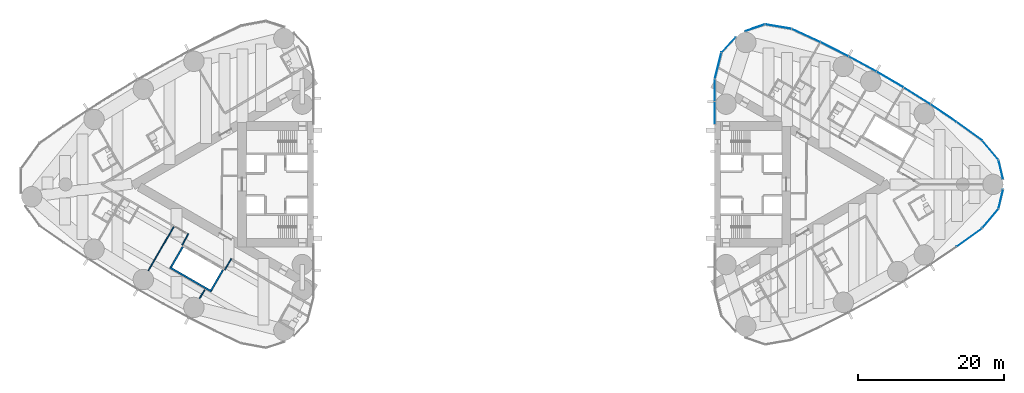
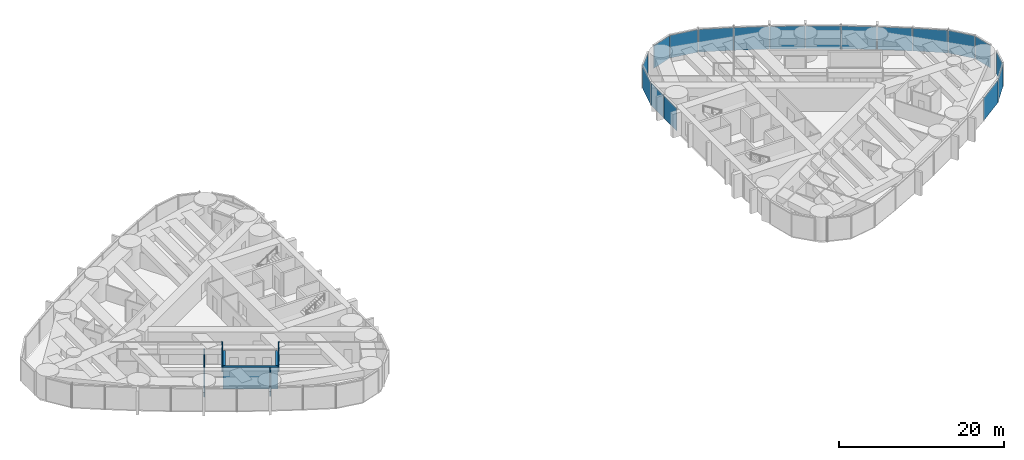
# One storey, part 11 of 18: 18 plates, 7 walls, 3 elements without a shape of their own.
"""IFC4 building model written with IfcOpenShell, lengths in metres."""

from ifc_helpers import new_model, si_unit, direction, frame, frame_2d, origin, origin_2d, place, context, subcontext, project, spatial, rectangle, extrude, material, layer, layer_set, type_object, element, aggregate, save


model = new_model("IFC4")

# Units and contexts
model_context = context("Model", 3, precision=1e-05, world=origin(), true_north=direction((0.0, 1.0)))
body_context = subcontext(model_context, "Body", "Model", "MODEL_VIEW")
ifc_project = project(units=[si_unit("LENGTHUNIT", "METRE"), si_unit("AREAUNIT", "SQUARE_METRE"), si_unit("VOLUMEUNIT", "CUBIC_METRE"), si_unit("PLANEANGLEUNIT", "RADIAN"), si_unit("MASSUNIT", "GRAM", prefix="KILO")], contexts=[model_context])

# Site, building, storey
site_placement = place(None, origin())
site = spatial("IfcSite", under=ifc_project, at=site_placement, CompositionType="ELEMENT")
building_placement = place(site_placement, origin())
building = spatial("IfcBuilding", under=site, at=building_placement, Name="Lancet Gate Hotel", CompositionType="ELEMENT")
storey_placement = place(building_placement, frame((0.0, 0.0, 180.800048828125)))
storey = spatial("IfcBuildingStorey", under=building, at=storey_placement, Name="L48", CompositionType="ELEMENT", Elevation=180.800048828125)

# Curtain wall, plates
ifc_material_1 = material(Name="Aluminium curtain wall", Category="aluminium")
curtain_wall_type = type_object("IfcCurtainWallType", Name="Tower unitised curtain wall", PredefinedType="USERDEFINED", material=ifc_material_1)
curtain_wall_1_placement = place(storey_placement, origin())
curtain_wall_1 = element("IfcCurtainWall", 1, at=curtain_wall_1_placement, inside=storey, type_object=curtain_wall_type, Name="T2 L48 curtain wall 2", ObjectType="UNITISED CURTAIN WALL", PredefinedType="USERDEFINED")
ifc_material_2 = material(Name="Glass double glazed unit 8-16-6", Category="glass")
ifc_layer_1 = layer(ifc_material_2, 0.030029296875)
ifc_layer_set_1 = layer_set([ifc_layer_1], Name="Vision panel double glazed")
plate_type = type_object("IfcPlateType", Name="Vision panel double glazed", PredefinedType="CURTAIN_PANEL", material=ifc_layer_set_1)
plate_1_placement = place(storey_placement, frame((62.417236328125, -7.279541015625, 0.0), z_axis=(0.0, 0.0, 1.0), x_axis=(0.810891442127, 0.585196607206, 0.0)))
plate_1 = element("IfcPlate", 2, at=plate_1_placement, type_object=plate_type, Name="T2 L48 curtain wall 2 panel 9", PredefinedType="CURTAIN_PANEL", context=body_context, shape_type="SweptSolid", body=[
    extrude(rectangle(XDim=4.26904296875, YDim=0.030029296875, at=origin_2d()), origin(), (0.0, 0.0, 1.0), 3.35009765625),
])
plate_2_placement = place(storey_placement, frame((65.283935546875, -4.68701171875, 0.0), z_axis=(0.0, 0.0, 1.0), x_axis=(0.642198636854, 0.766538264422, 0.0)))
plate_2 = element("IfcPlate", 3, at=plate_2_placement, type_object=plate_type, Name="T2 L48 curtain wall 2 panel 10", PredefinedType="CURTAIN_PANEL", context=body_context, shape_type="SweptSolid", body=[
    extrude(rectangle(XDim=3.390380859375, YDim=0.030029296875, at=origin_2d()), origin(), (0.0, 0.0, 1.0), 3.35009765625),
])
plate_3_placement = place(storey_placement, frame((66.710693359375, -2.0234375, 0.0), z_axis=(0.0, 0.0, 1.0), x_axis=(0.230366568544, 0.973103922558, 0.0)))
plate_3 = element("IfcPlate", 4, at=plate_3_placement, type_object=plate_type, Name="T2 L48 curtain wall 2 panel 11", PredefinedType="CURTAIN_PANEL", context=body_context, shape_type="SweptSolid", body=[
    extrude(rectangle(XDim=2.687255859375, YDim=0.030029296875, at=origin_2d()), origin(), (0.0, 0.0, 1.0), 3.35009765625),
])
aggregate(curtain_wall_1, [plate_1, plate_2, plate_3])

curtain_wall_2_placement = place(storey_placement, origin())
curtain_wall_2 = element("IfcCurtainWall", 5, at=curtain_wall_2_placement, inside=storey, type_object=curtain_wall_type, Name="T2 L48 curtain wall 3", ObjectType="UNITISED CURTAIN WALL", PredefinedType="USERDEFINED")
plate_4_placement = place(storey_placement, frame((66.710693359375, 2.0234375, 0.0), z_axis=(0.0, 0.0, 1.0), x_axis=(-0.230366568544, 0.973103922558, 0.0)))
plate_4 = element("IfcPlate", 6, at=plate_4_placement, type_object=plate_type, Name="T2 L48 curtain wall 3 panel 1", PredefinedType="CURTAIN_PANEL", context=body_context, shape_type="SweptSolid", body=[
    extrude(rectangle(XDim=2.687255859375, YDim=0.030029296875, at=origin_2d()), origin(), (0.0, 0.0, 1.0), 3.35009765625),
])
plate_5_placement = place(storey_placement, frame((65.283935546875, 4.68701171875, 0.0), z_axis=(0.0, 0.0, 1.0), x_axis=(-0.642198636854, 0.766538264422, 0.0)))
plate_5 = element("IfcPlate", 7, at=plate_5_placement, type_object=plate_type, Name="T2 L48 curtain wall 3 panel 2", PredefinedType="CURTAIN_PANEL", context=body_context, shape_type="SweptSolid", body=[
    extrude(rectangle(XDim=3.390380859375, YDim=0.030029296875, at=origin_2d()), origin(), (0.0, 0.0, 1.0), 3.35009765625),
])
plate_6_placement = place(storey_placement, frame((62.417236328125, 7.279541015625, 0.0), z_axis=(0.0, 0.0, 1.0), x_axis=(-0.810891442127, 0.585196607206, 0.0)))
plate_6 = element("IfcPlate", 8, at=plate_6_placement, type_object=plate_type, Name="T2 L48 curtain wall 3 panel 3", PredefinedType="CURTAIN_PANEL", context=body_context, shape_type="SweptSolid", body=[
    extrude(rectangle(XDim=4.26904296875, YDim=0.030029296875, at=origin_2d()), origin(), (0.0, 0.0, 1.0), 3.35009765625),
])
plate_7_placement = place(storey_placement, frame((58.863525390625, 9.75927734375, 0.0), z_axis=(0.0, 0.0, 1.0), x_axis=(-0.829038793948, 0.559191092677, 0.0)))
plate_7 = element("IfcPlate", 9, at=plate_7_placement, type_object=plate_type, Name="T2 L48 curtain wall 3 panel 4", PredefinedType="CURTAIN_PANEL", context=body_context, shape_type="SweptSolid", body=[
    extrude(rectangle(XDim=4.26904296875, YDim=0.030029296875, at=origin_2d()), origin(), (0.0, 0.0, 1.0), 3.35009765625),
])
plate_8_placement = place(storey_placement, frame((55.233154296875, 12.125244140625, 0.0), z_axis=(0.0, 0.0, 1.0), x_axis=(-0.846352453444, 0.532623248225, 0.0)))
plate_8 = element("IfcPlate", 10, at=plate_8_placement, type_object=plate_type, Name="T2 L48 curtain wall 3 panel 5", PredefinedType="CURTAIN_PANEL", context=body_context, shape_type="SweptSolid", body=[
    extrude(rectangle(XDim=4.26904296875, YDim=0.030029296875, at=origin_2d()), origin(), (0.0, 0.0, 1.0), 3.35009765625),
])
plate_9_placement = place(storey_placement, frame((51.529296875, 14.374755859375, 0.0), z_axis=(0.0, 0.0, 1.0), x_axis=(-0.862815009772, 0.505519790822, 0.0)))
plate_9 = element("IfcPlate", 11, at=plate_9_placement, type_object=plate_type, Name="T2 L48 curtain wall 3 panel 6", PredefinedType="CURTAIN_PANEL", context=body_context, shape_type="SweptSolid", body=[
    extrude(rectangle(XDim=4.26904296875, YDim=0.030029296875, at=origin_2d()), origin(), (0.0, 0.0, 1.0), 3.35009765625),
])
plate_10_placement = place(storey_placement, frame((47.756103515625, 16.505859375, 0.0), z_axis=(0.0, 0.0, 1.0), x_axis=(-0.878409907967, 0.477907976063, 0.0)))
plate_10 = element("IfcPlate", 12, at=plate_10_placement, type_object=plate_type, Name="T2 L48 curtain wall 3 panel 7", PredefinedType="CURTAIN_PANEL", context=body_context, shape_type="SweptSolid", body=[
    extrude(rectangle(XDim=4.26904296875, YDim=0.030029296875, at=origin_2d()), origin(), (0.0, 0.0, 1.0), 3.35009765625),
])
plate_11_placement = place(storey_placement, frame((43.917236328125, 18.516357421875, 0.0), z_axis=(0.0, 0.0, 1.0), x_axis=(-0.893121465596, 0.449815570752, 0.0)))
plate_11 = element("IfcPlate", 13, at=plate_11_placement, type_object=plate_type, Name="T2 L48 curtain wall 3 panel 8", PredefinedType="CURTAIN_PANEL", context=body_context, shape_type="SweptSolid", body=[
    extrude(rectangle(XDim=4.26904296875, YDim=0.030029296875, at=origin_2d()), origin(), (0.0, 0.0, 1.0), 3.35009765625),
])
plate_12_placement = place(storey_placement, frame((40.0166015625, 20.40380859375, 0.0), z_axis=(0.0, 0.0, 1.0), x_axis=(-0.906934888522, 0.421270824982, 0.0)))
plate_12 = element("IfcPlate", 14, at=plate_12_placement, type_object=plate_type, Name="T2 L48 curtain wall 3 panel 9", PredefinedType="CURTAIN_PANEL", context=body_context, shape_type="SweptSolid", body=[
    extrude(rectangle(XDim=4.26904296875, YDim=0.030029296875, at=origin_2d()), origin(), (0.0, 0.0, 1.0), 3.35009765625),
])
plate_13_placement = place(storey_placement, frame((36.231689453125, 21.629638671875, 0.0), z_axis=(0.0, 0.0, 1.0), x_axis=(-0.985539649572, 0.169444973729, 0.0)))
plate_13 = element("IfcPlate", 15, at=plate_13_placement, type_object=plate_type, Name="T2 L48 curtain wall 3 panel 10", PredefinedType="CURTAIN_PANEL", context=body_context, shape_type="SweptSolid", body=[
    extrude(rectangle(XDim=3.62744140625, YDim=0.030029296875, at=origin_2d()), origin(), (0.0, 0.0, 1.0), 3.35009765625),
])
plate_14_placement = place(storey_placement, frame((33.02197265625, 21.470703125, 0.0), z_axis=(0.0, 0.0, 1.0), x_axis=(-0.946952368511, -0.321373943827, 0.0)))
plate_14 = element("IfcPlate", 16, at=plate_14_placement, type_object=plate_type, Name="T2 L48 curtain wall 3 panel 11", PredefinedType="CURTAIN_PANEL", context=body_context, shape_type="SweptSolid", body=[
    extrude(rectangle(XDim=2.871337890625, YDim=0.030029296875, at=origin_2d()), origin(), (0.0, 0.0, 1.0), 3.35009765625),
])
aggregate(curtain_wall_2, [plate_4, plate_5, plate_6, plate_7, plate_8, plate_9, plate_10, plate_11, plate_12, plate_13, plate_14])

curtain_wall_3_placement = place(storey_placement, origin())
curtain_wall_3 = element("IfcCurtainWall", 17, at=curtain_wall_3_placement, inside=storey, type_object=curtain_wall_type, Name="T2 L48 curtain wall 4", ObjectType="UNITISED CURTAIN WALL", PredefinedType="USERDEFINED")
plate_15_placement = place(storey_placement, frame((29.4052734375, 19.122314453125, 0.0), z_axis=(0.0, 0.0, 1.0), x_axis=(-0.67883123083, -0.734294327943, 0.0)))
plate_15 = element("IfcPlate", 18, at=plate_15_placement, type_object=plate_type, Name="T2 L48 curtain wall 4 panel 1", PredefinedType="CURTAIN_PANEL", context=body_context, shape_type="SweptSolid", body=[
    extrude(rectangle(XDim=2.87060546875, YDim=0.030029296875, at=origin_2d()), origin(), (0.0, 0.0, 1.0), 3.35009765625),
])
plate_16_placement = place(storey_placement, frame((27.95458984375, 16.2548828125, 0.0), z_axis=(0.0, 0.0, 1.0), x_axis=(-0.246166705764, -0.969227503207, 0.0)))
plate_16 = element("IfcPlate", 19, at=plate_16_placement, type_object=plate_type, Name="T2 L48 curtain wall 4 panel 2", PredefinedType="CURTAIN_PANEL", context=body_context, shape_type="SweptSolid", body=[
    extrude(rectangle(XDim=3.62744140625, YDim=0.030029296875, at=origin_2d()), origin(), (0.0, 0.0, 1.0), 3.35009765625),
])
plate_17_placement = place(storey_placement, frame((27.5, 12.899169921875, 0.0), z_axis=(0.0, 0.0, 1.0), x_axis=(0.0, -1.0, 0.0)))
plate_17 = element("IfcPlate", 20, at=plate_17_placement, type_object=plate_type, Name="T2 L48 curtain wall 4 panel 3", PredefinedType="CURTAIN_PANEL", context=body_context, shape_type="SweptSolid", body=[
    extrude(rectangle(XDim=3.06787109375, YDim=0.030029296875, at=origin_2d()), origin(), (0.0, 0.0, 1.0), 3.35009765625),
])
plate_18_placement = place(storey_placement, frame((27.5, 9.766357421875, 0.0), z_axis=(0.0, 0.0, 1.0), x_axis=(0.0, -1.0, 0.0)))
plate_18 = element("IfcPlate", 21, at=plate_18_placement, type_object=plate_type, Name="T2 L48 curtain wall 4 panel 4", PredefinedType="CURTAIN_PANEL", context=body_context, shape_type="SweptSolid", body=[
    extrude(rectangle(XDim=3.06787109375, YDim=0.030029296875, at=origin_2d()), origin(), (0.0, 0.0, 1.0), 3.35009765625),
])
aggregate(curtain_wall_3, [plate_15, plate_16, plate_17, plate_18])

# Walls
ifc_material_3 = material(Name="Gypsum board partition")
ifc_layer_2 = layer(ifc_material_3, 0.25)
ifc_layer_set_2 = layer_set([ifc_layer_2], Name="Lift shaft partition 250")
wall_type_1 = type_object("IfcWallType", Name="Lift shaft partition 250", PredefinedType="PARTITIONING", material=ifc_layer_set_2)
wall_1_placement = place(storey_placement, frame((-41.482421875, -14.685791015625, 0.0), z_axis=(0.0, 0.0, 1.0), x_axis=(-0.86603344179, 0.499986077507, 0.0)))
element("IfcWall", 22, at=wall_1_placement, inside=storey, type_object=wall_type_1, Name="T1 lift shaft wall HL L48", PredefinedType="PARTITIONING", context=body_context, shape_type="SweptSolid", body=[
    extrude(rectangle(XDim=6.600341796875, YDim=0.25, at=frame_2d((3.30029296875, 0.0))), origin(), (0.0, 0.0, 1.0), 3.25),
])
for number, where, z_axis, x_axis, name in (
    (23, (-39.92822265625, -11.742919921875, 0.0), (0.0, 0.0, 1.0), (-0.499929347863, -0.866066190972, 0.0), "T1 lift shaft wall HL L48"),
    (24, (-45.427734375, -8.568115234375, 0.0), (0.0, 0.0, 1.0), (-0.499929347863, -0.866066190972, 0.0), "T1 lift shaft wall HL L48"),
):
    element("IfcWall", number, at=place(storey_placement, frame(where, z_axis=z_axis, x_axis=x_axis)), inside=storey, type_object=wall_type_1, Name=name, PredefinedType="PARTITIONING", context=body_context, shape_type="SweptSolid", body=[
        extrude(rectangle(XDim=3.20068359375, YDim=0.25, at=frame_2d((1.600341796875, 0.0))), origin(), (0.0, 0.0, 1.0), 3.25),
    ])
ifc_material_4 = material(Name="Gypsum board partition")
ifc_layer_3 = layer(ifc_material_4, 0.14990234375)
ifc_layer_set_3 = layer_set([ifc_layer_3], Name="Party wall 150")
wall_type_2 = type_object("IfcWallType", Name="Party wall 150", PredefinedType="PARTITIONING", material=ifc_layer_set_3)
wall_2_placement = place(storey_placement, frame((-46.6787109375, -5.8251953125, 0.0), z_axis=(0.0, 0.0, 1.0), x_axis=(-0.500006839597, -0.866021454905, 0.0)))
element("IfcWall", 25, at=wall_2_placement, inside=storey, type_object=wall_type_2, Name="T1 party wall 150 L48", PredefinedType="PARTITIONING", context=body_context, shape_type="SweptSolid", body=[
    extrude(rectangle(XDim=6.9111328125, YDim=0.14990234375, at=frame_2d((3.45556640625, 0.0))), origin(), (0.0, 0.0, 1.0), 2.300048828125),
])
wall_3_placement = place(storey_placement, frame((-42.429443359375, -14.45654296875, 0.0), z_axis=(0.0, 0.0, 1.0), x_axis=(-0.5000578829, -0.865991982497, 0.0)))
element("IfcWall", 26, at=wall_3_placement, inside=storey, type_object=wall_type_2, Name="T1 party wall 150 L48", PredefinedType="PARTITIONING", context=body_context, shape_type="SweptSolid", body=[
    extrude(rectangle(XDim=1.406982421875, YDim=0.14990234375, at=frame_2d((0.70361328125, 0.0))), origin(), (0.0, 0.0, 1.0), 3.25),
])
ifc_material_5 = material(Name="Gypsum board partition")
ifc_layer_4 = layer(ifc_material_5, 0.14990234375)
ifc_layer_set_4 = layer_set([ifc_layer_4], Name="Service room wall 150")
wall_type_3 = type_object("IfcWallType", Name="Service room wall 150", PredefinedType="PARTITIONING", material=ifc_layer_set_4)
for number, where, z_axis, x_axis, name in (
    (27, (-39.6826171875, -11.717529296875, 0.0), (0.0, 0.0, 1.0), (0.514336634837, 0.857588377991, 0.0), "T1 service room wall 150 L48"),
    (28, (-44.652099609375, -6.764404296875, 0.0), (0.0, 0.0, 1.0), (-0.485424724123, -0.874278466629, 0.0), "T1 service room wall 150 L48"),
):
    element("IfcWall", number, at=place(storey_placement, frame(where, z_axis=z_axis, x_axis=x_axis)), inside=storey, type_object=wall_type_3, Name=name, PredefinedType="PARTITIONING", context=body_context, shape_type="SweptSolid", body=[
        extrude(rectangle(XDim=1.80517578125, YDim=0.14990234375, at=frame_2d((0.902587890625, 0.0))), origin(), (0.0, 0.0, 1.0), 3.25),
    ])

save(model, "model.ifc")
